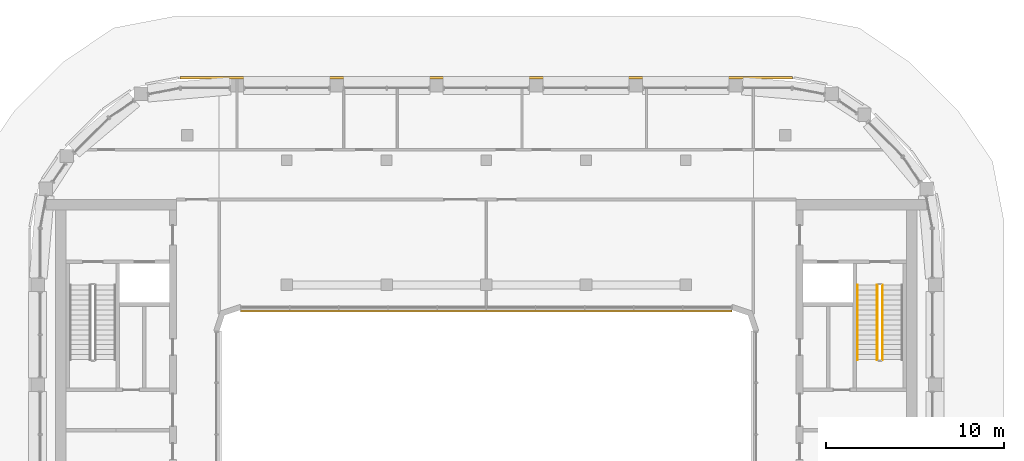
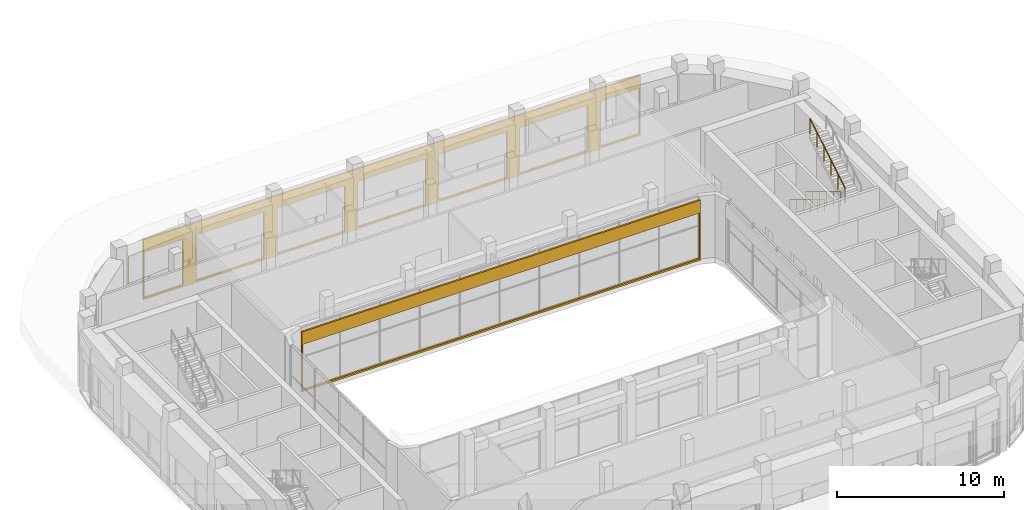
# One storey, part 22 of 23: 3 railings, 2 coverings.
"""IFC4 building model written with IfcOpenShell, lengths in metres."""

from ifc_helpers import new_model, si_unit, direction, frame, origin, origin_2d, place, context, subcontext, project, spatial, polyline, circle, outline, extrude, material, layer, layer_set, type_object, element, save


model = new_model("IFC4")

# Units and contexts
model_context = context("Model", 3, precision=1e-05, world=origin(), true_north=direction((0.0, 1.0)))
body_context = subcontext(model_context, "Body", "Model", "MODEL_VIEW")
ifc_project = project(units=[si_unit("LENGTHUNIT", "METRE"), si_unit("AREAUNIT", "SQUARE_METRE"), si_unit("VOLUMEUNIT", "CUBIC_METRE"), si_unit("PLANEANGLEUNIT", "RADIAN"), si_unit("MASSUNIT", "GRAM", prefix="KILO")], contexts=[model_context])

# Site, building, storey
site_placement = place(None, origin())
site = spatial("IfcSite", under=ifc_project, at=site_placement, CompositionType="ELEMENT")
building_placement = place(site_placement, origin())
building = spatial("IfcBuilding", under=site, at=building_placement, Name="Kiln Ring Residences", CompositionType="ELEMENT")
storey_placement = place(building_placement, frame((0.0, 0.0, 294.5)))
storey = spatial("IfcBuildingStorey", under=building, at=storey_placement, Name="L76", CompositionType="ELEMENT", Elevation=294.5)

# Railings
ifc_material_1 = material(Name="Stainless steel", Category="steel")
railing_type_1 = type_object("IfcRailingType", Name="CORE-STAIR-GUARD", PredefinedType="GUARDRAIL", material=ifc_material_1)
railing_1_placement = place(storey_placement, frame((21.949951171875, 8.39990234375, 0.168701171875)))
element("IfcRailing", 1, at=railing_1_placement, inside=storey, type_object=railing_type_1, Name="L76 E-STN stair guard 1", PredefinedType="GUARDRAIL", context=body_context, shape_type="SweptSolid", body=[
    extrude(circle(Radius=0.02392578125, at=origin_2d()), frame((0.0, 0.0, 1.076171875), z_axis=(0.0, -0.856476492594, 0.516186030065), x_axis=(1.0, 0.0, 0.0)), (0.0, 0.0, 1.0), 4.90380859375),
    extrude(circle(Radius=0.02099609375, at=origin_2d()), origin(), (0.0, 0.0, 1.0), 1.052001953125),
    extrude(circle(Radius=0.02099609375, at=origin_2d()), frame((0.0, -0.840087890625, 0.50634765625)), (0.0, 0.0, 1.0), 1.052001953125),
    extrude(circle(Radius=0.02099609375, at=origin_2d()), frame((0.0, -1.679931640625, 1.012451171875)), (0.0, 0.0, 1.0), 1.052001953125),
    extrude(circle(Radius=0.02099609375, at=origin_2d()), frame((0.0, -2.52001953125, 1.518798828125)), (0.0, 0.0, 1.0), 1.052001953125),
    extrude(circle(Radius=0.02099609375, at=origin_2d()), frame((0.0, -3.35986328125, 2.02490234375)), (0.0, 0.0, 1.0), 1.052001953125),
    extrude(circle(Radius=0.02099609375, at=origin_2d()), frame((0.0, -4.199951171875, 2.53125)), (0.0, 0.0, 1.0), 1.052001953125),
])
railing_2_placement = place(storey_placement, frame((22.25, 4.199951171875, 2.86865234375)))
element("IfcRailing", 2, at=railing_2_placement, inside=storey, type_object=railing_type_1, Name="L76 E-STN stair guard 3", PredefinedType="GUARDRAIL", context=body_context, shape_type="SweptSolid", body=[
    extrude(circle(Radius=0.02392578125, at=origin_2d()), frame((0.0, 0.0, 1.076171875), z_axis=(0.0, 0.856476492594, 0.516186030065), x_axis=(-1.0, 0.0, 0.0)), (0.0, 0.0, 1.0), 4.90380859375),
    extrude(circle(Radius=0.02099609375, at=origin_2d()), origin(), (0.0, 0.0, 1.0), 1.052001953125),
    extrude(circle(Radius=0.02099609375, at=origin_2d()), frame((0.0, 0.840087890625, 0.50634765625)), (0.0, 0.0, 1.0), 1.052001953125),
    extrude(circle(Radius=0.02099609375, at=origin_2d()), frame((0.0, 1.679931640625, 1.012451171875)), (0.0, 0.0, 1.0), 1.052001953125),
    extrude(circle(Radius=0.02099609375, at=origin_2d()), frame((0.0, 2.52001953125, 1.518798828125)), (0.0, 0.0, 1.0), 1.052001953125),
    extrude(circle(Radius=0.02099609375, at=origin_2d()), frame((0.0, 3.35986328125, 2.02490234375)), (0.0, 0.0, 1.0), 1.052001953125),
    extrude(circle(Radius=0.02099609375, at=origin_2d()), frame((0.0, 4.199951171875, 2.53125)), (0.0, 0.0, 1.0), 1.052001953125),
])
ifc_material_2 = material(Name="Stainless steel", Category="steel")
railing_type_2 = type_object("IfcRailingType", Name="CORE-STAIR-HANDRAIL", PredefinedType="HANDRAIL", material=ifc_material_2)
railing_3_placement = place(storey_placement, frame((20.85009765625, 8.39990234375, 0.168701171875)))
element("IfcRailing", 3, at=railing_3_placement, inside=storey, type_object=railing_type_2, Name="L76 E-STN stair handrail 1", PredefinedType="HANDRAIL", context=body_context, shape_type="SweptSolid", body=[
    extrude(circle(Radius=0.02392578125, at=origin_2d()), frame((0.0, 0.0, 0.8759765625), z_axis=(0.0, -0.856476492594, 0.516186030065), x_axis=(1.0, 0.0, 0.0)), (0.0, 0.0, 1.0), 4.90380859375),
    extrude(circle(Radius=0.02099609375, at=origin_2d()), origin(), (0.0, 0.0, 1.0), 0.851806640625),
    extrude(circle(Radius=0.02099609375, at=origin_2d()), frame((0.0, -0.840087890625, 0.50634765625)), (0.0, 0.0, 1.0), 0.851806640625),
    extrude(circle(Radius=0.02099609375, at=origin_2d()), frame((0.0, -1.679931640625, 1.012451171875)), (0.0, 0.0, 1.0), 0.851806640625),
    extrude(circle(Radius=0.02099609375, at=origin_2d()), frame((0.0, -2.52001953125, 1.518798828125)), (0.0, 0.0, 1.0), 0.851806640625),
    extrude(circle(Radius=0.02099609375, at=origin_2d()), frame((0.0, -3.35986328125, 2.02490234375)), (0.0, 0.0, 1.0), 0.851806640625),
    extrude(circle(Radius=0.02099609375, at=origin_2d()), frame((0.0, -4.199951171875, 2.53125)), (0.0, 0.0, 1.0), 0.851806640625),
])

# Coverings
ifc_material_3 = material(Name="Brick masonry, dark clay brick", Category="masonry")
ifc_layer = layer(ifc_material_3, 0.1201171875)
ifc_layer_set = layer_set([ifc_layer], Name="RAINSCREEN PANEL 120")
covering_type = type_object("IfcCoveringType", Name="RAINSCREEN PANEL 120", PredefinedType="CLADDING", material=ifc_layer_set)
covering_1_placement = place(storey_placement, frame((17.199951171875, 20.034912109375, 0.0), z_axis=(0.0, 0.0, 1.0), x_axis=(-1.0, 0.0, 0.0)))
element("IfcCovering", 4, at=covering_1_placement, inside=storey, type_object=covering_type, Name="RAINSCREEN L76", PredefinedType="CLADDING", context=body_context, shape_type="SweptSolid", body=[
    extrude(outline(polyline([(0.0, 0.0), (34.39990234375, 0.0), (34.39990234375, 4.39990234375), (0.0, 4.39990234375), (0.0, 0.0)]), holes=[polyline([(2.7451171875, 0.1298828125), (2.7451171875, 3.469970703125), (0.080078125, 3.469970703125), (0.080078125, 0.1298828125), (2.7451171875, 0.1298828125)]), polyline([(3.655029296875, 0.1298828125), (8.344970703125, 0.1298828125), (8.344970703125, 3.469970703125), (3.655029296875, 3.469970703125), (3.655029296875, 0.1298828125)]), polyline([(9.2548828125, 0.1298828125), (13.945068359375, 0.1298828125), (13.945068359375, 3.469970703125), (9.2548828125, 3.469970703125), (9.2548828125, 0.1298828125)]), polyline([(14.85498046875, 0.1298828125), (19.544921875, 0.1298828125), (19.544921875, 3.469970703125), (14.85498046875, 3.469970703125), (14.85498046875, 0.1298828125)]), polyline([(20.455078125, 0.1298828125), (25.14501953125, 0.1298828125), (25.14501953125, 3.469970703125), (20.455078125, 3.469970703125), (20.455078125, 0.1298828125)]), polyline([(26.054931640625, 0.1298828125), (30.7451171875, 0.1298828125), (30.7451171875, 3.469970703125), (26.054931640625, 3.469970703125), (26.054931640625, 0.1298828125)]), polyline([(31.655029296875, 0.1298828125), (34.320068359375, 0.1298828125), (34.320068359375, 3.469970703125), (31.655029296875, 3.469970703125), (31.655029296875, 0.1298828125)])]), frame((0.0, 0.06005859375, 0.0), z_axis=(0.0, -1.0, 0.0), x_axis=(1.0, 0.0, 0.0)), (0.0, 0.0, 1.0), 0.1201171875),
])
covering_2_placement = place(storey_placement, frame((-13.800048828125, 6.93994140625, 0.0), z_axis=(0.0, 0.0, 1.0), x_axis=(1.0, 0.0, 0.0)))
element("IfcCovering", 5, at=covering_2_placement, inside=storey, type_object=covering_type, Name="RAINSCREEN L76", PredefinedType="CLADDING", context=body_context, shape_type="SweptSolid", body=[
    extrude(outline(polyline([(0.0, 0.0), (27.60009765625, 0.0), (27.60009765625, 4.39990234375), (0.0, 4.39990234375), (0.0, 0.0)]), holes=[polyline([(0.080078125, 3.469970703125), (0.080078125, 0.1298828125), (27.52001953125, 0.1298828125), (27.52001953125, 3.469970703125), (0.080078125, 3.469970703125)])]), frame((0.0, 0.06005859375, 0.0), z_axis=(0.0, -1.0, 0.0), x_axis=(1.0, 0.0, 0.0)), (0.0, 0.0, 1.0), 0.1201171875),
])

save(model, "model.ifc")
